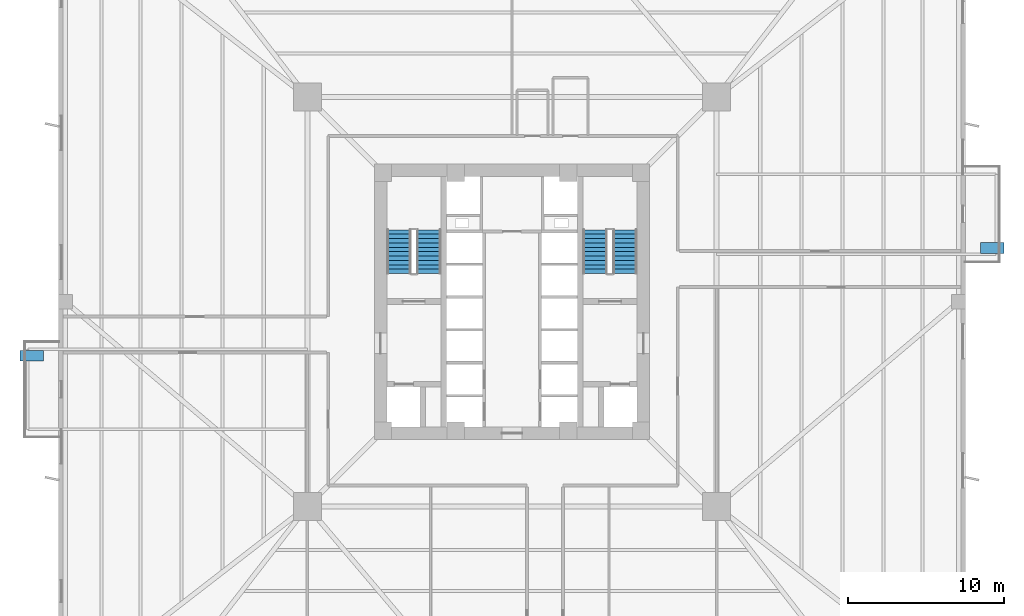
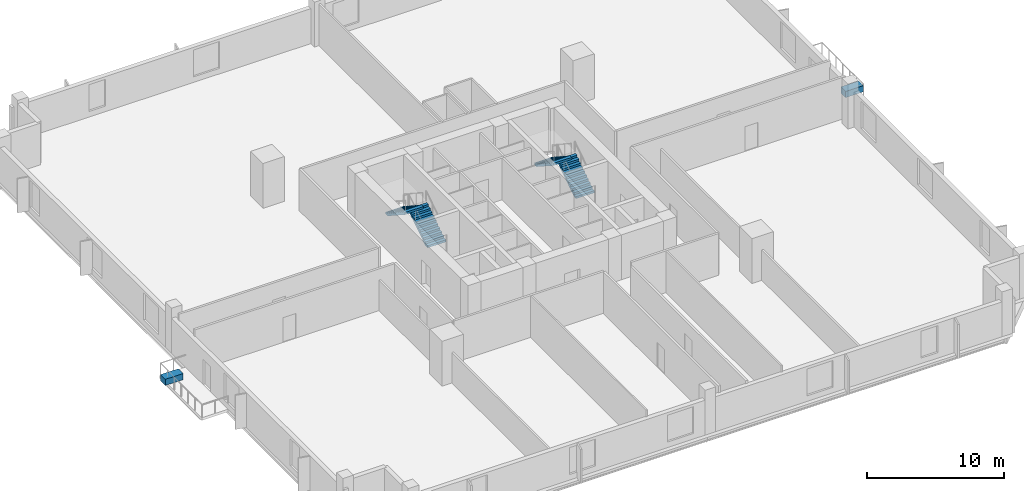
# One storey, part 5 of 9: 4 stair flights, 2 discrete accessories, 2 elements without a shape of their own.
"""IFC4 building model written with IfcOpenShell, lengths in metres."""

import ifcopenshell
import ifcopenshell.guid

model = None  # the IFC model being written
_history = None  # IfcOwnerHistory: only IFC2X3 demands one
_inside = {}  # id of a spatial element -> (the spatial element, [elements in it])
_under = {}  # id of a project, library or spatial element -> (it, [spatial elements below it])
_declared = {}  # id of a project -> (the project, [libraries it declares])
_typed = {}  # id of a type object -> (the type object, [elements of that type])
_made_of = {}  # id of a material, layer set ... -> (it, [elements and type objects made of it])


def new_model(schema):
    """Start an empty IFC model of exactly this schema.

    Asked for "IFC4X3", IfcOpenShell would pick the latest addendum, in which some entities
    have other attributes; the version numbers below select the first issue.
    IFC2X3 requires an IfcOwnerHistory on every rooted entity: one is made here for all.
    """
    global model, _history
    if schema == "IFC4X3":
        model = ifcopenshell.file(schema_version=(4, 3, 0, 0))
    else:
        model = ifcopenshell.file(schema=schema)
    _inside.clear()
    _under.clear()
    _declared.clear()
    _typed.clear()
    _made_of.clear()
    _history = None
    if model.schema == "IFC2X3":
        org = make("IfcOrganization", Name="unknown")
        user = make(
            "IfcPersonAndOrganization",
            ThePerson=make("IfcPerson", FamilyName="unknown"),
            TheOrganization=org,
        )
        app = make(
            "IfcApplication",
            ApplicationDeveloper=org,
            Version="unknown",
            ApplicationFullName="unknown",
            ApplicationIdentifier="unknown",
        )
        _history = make(
            "IfcOwnerHistory",
            OwningUser=user,
            OwningApplication=app,
            ChangeAction="ADDED",
            CreationDate=0,
        )
    return model


def make(cls, **values):
    """One entity of the class cls with the attributes given. An attribute that is None is left unset."""
    return model.create_entity(
        cls, **{name: value for name, value in values.items() if value is not None}
    )


def rooted(cls, **values):
    """An entity with a GlobalId (a new one), such as an element, a storey or a relation."""
    return make(cls, GlobalId=ifcopenshell.guid.new(), OwnerHistory=_history, **values)


def si_unit(unit_type, name, prefix=None):
    """IfcSIUnit, for example si_unit("LENGTHUNIT", "METRE", prefix="MILLI")."""
    return make("IfcSIUnit", UnitType=unit_type, Prefix=prefix, Name=name)


def assignment(units):
    """IfcUnitAssignment: the units of a project."""
    return None if units is None else make("IfcUnitAssignment", Units=units)


def point(xyz):
    """IfcCartesianPoint."""
    return None if xyz is None else make("IfcCartesianPoint", Coordinates=xyz)


def direction(xyz):
    """IfcDirection."""
    return None if xyz is None else make("IfcDirection", DirectionRatios=xyz)


def frame(location, z_axis=None, x_axis=None):
    """IfcAxis2Placement3D, a coordinate frame: its origin and axes. An axis left out is left unset."""
    return make(
        "IfcAxis2Placement3D",
        Location=point(location),
        Axis=direction(z_axis),
        RefDirection=direction(x_axis),
    )


def frame_2d(location, x_axis=None):
    """IfcAxis2Placement2D, a coordinate frame in the plane: its origin and x axis."""
    return make(
        "IfcAxis2Placement2D", Location=point(location), RefDirection=direction(x_axis)
    )


def origin():
    """The frame at (0, 0, 0) with its axes left unset."""
    return frame((0.0, 0.0, 0.0))


def origin_2d():
    """The frame at (0, 0) in the plane with its x axis left unset."""
    return frame_2d((0.0, 0.0))


def place(relative_to, where):
    """IfcLocalPlacement: puts the frame where relative to a parent placement (None: the world)."""
    return make(
        "IfcLocalPlacement", PlacementRelTo=relative_to, RelativePlacement=where
    )


def context(
    kind, dimensions, precision=None, world=None, true_north=None, identifier=None
):
    """IfcGeometricRepresentationContext, for example the 3D "Model" context."""
    return make(
        "IfcGeometricRepresentationContext",
        ContextIdentifier=identifier,
        ContextType=kind,
        CoordinateSpaceDimension=dimensions,
        Precision=precision,
        WorldCoordinateSystem=world,
        TrueNorth=true_north,
    )


def subcontext(parent, identifier, kind, view, scale=None):
    """IfcGeometricRepresentationSubContext, for example "Body" below "Model"."""
    return make(
        "IfcGeometricRepresentationSubContext",
        ContextIdentifier=identifier,
        ContextType=kind,
        ParentContext=parent,
        TargetScale=scale,
        TargetView=view,
    )


def project(units=None, contexts=None):
    """IfcProject with its units and contexts."""
    return rooted(
        "IfcProject",
        Name="project",
        RepresentationContexts=contexts,
        UnitsInContext=assignment(units),
    )


def spatial(cls, under=None, at=None, **own):
    """A site, building, storey or space (cls), placed at a placement, below another one or the project."""
    s = rooted(cls, ObjectPlacement=at, **own)
    if under is not None:
        _under.setdefault(under.id(), (under, []))[1].append(s)
    return s


def polyline(points):
    """IfcPolyline through the points."""
    return make("IfcPolyline", Points=[point(p) for p in points])


def profile(cls, at=None, kind="AREA", **sizes):
    """A parametric profile (cls). Its sizes go by their IFC names, for example OverallWidth=200.0."""
    return make(cls, ProfileType=kind, Position=at, **sizes)


def rectangle(**sizes):
    """IfcRectangleProfileDef."""
    return profile("IfcRectangleProfileDef", **sizes)


def outline(outer, holes=None, kind="AREA"):
    """IfcArbitraryClosedProfileDef: a profile drawn as a closed curve; with holes, ...WithVoids."""
    if holes is None:
        return make("IfcArbitraryClosedProfileDef", ProfileType=kind, OuterCurve=outer)
    return make(
        "IfcArbitraryProfileDefWithVoids",
        ProfileType=kind,
        OuterCurve=outer,
        InnerCurves=holes,
    )


def extrude(swept, where, along, depth):
    """IfcExtrudedAreaSolid: the profile swept, set in the frame where, extruded along a direction by depth."""
    return make(
        "IfcExtrudedAreaSolid",
        SweptArea=swept,
        Position=where,
        ExtrudedDirection=direction(along),
        Depth=depth,
    )


def shape(context_of_items, identifier, shape_type, items):
    """IfcShapeRepresentation: the items that make up one representation, for example the "Body"."""
    return make(
        "IfcShapeRepresentation",
        ContextOfItems=context_of_items,
        RepresentationIdentifier=identifier,
        RepresentationType=shape_type,
        Items=items,
    )


def source(mapping_origin, context_of_items, identifier, shape_type, items):
    """IfcRepresentationMap: a shape defined once, which mapped items show again and again."""
    return make(
        "IfcRepresentationMap",
        MappingOrigin=mapping_origin,
        MappedRepresentation=shape(context_of_items, identifier, shape_type, items),
    )


def transform(
    local_origin,
    x_axis=None,
    y_axis=None,
    z_axis=None,
    scale=None,
    scale2=None,
    scale3=None,
    uniform=True,
):
    """IfcCartesianTransformationOperator3D, or its non-uniform kind. x_axis, y_axis, z_axis: its Axis1, 2, 3."""
    if uniform:
        return make(
            "IfcCartesianTransformationOperator3D",
            Axis1=direction(x_axis),
            Axis2=direction(y_axis),
            LocalOrigin=point(local_origin),
            Scale=scale,
            Axis3=direction(z_axis),
        )
    return make(
        "IfcCartesianTransformationOperator3DnonUniform",
        Axis1=direction(x_axis),
        Axis2=direction(y_axis),
        LocalOrigin=point(local_origin),
        Scale=scale,
        Axis3=direction(z_axis),
        Scale2=scale2,
        Scale3=scale3,
    )


def mapped(mapping_source, mapping_target):
    """IfcMappedItem: shows the shape of a source again, moved by a transform."""
    return make(
        "IfcMappedItem", MappingSource=mapping_source, MappingTarget=mapping_target
    )


def material(Name=None, Category=None):
    """IfcMaterial."""
    return make("IfcMaterial", Name=Name, Category=Category)


def made_of(thing, what):
    """Note that an element or type object is made of a material, layer set ...; save() writes the relation."""
    if what is not None:
        _made_of.setdefault(what.id(), (what, []))[1].append(thing)
    return thing


def type_object(cls, material=None, **own):
    """A type object (cls), such as IfcWallType, which elements share."""
    return made_of(rooted(cls, **own), material)


def element(
    cls,
    number,
    at=None,
    inside=None,
    cuts=None,
    type_object=None,
    material=None,
    context=None,
    identifier="Body",
    shape_type=None,
    held_by="IfcProductDefinitionShape",
    body=None,
    shapes=None,
    **own,
):
    """One element of the class cls, such as IfcWall. Its Tag is "e" and its number.

    at: its placement. inside: the storey or other place that contains it. cuts: it is an
    opening in that element (IfcRelVoidsElement). A single representation is given by context,
    identifier, shape_type and body (its items); several are given by shapes. held_by: the class
    of the entity that holds the representations. save() writes the other relations.
    """
    e = rooted(cls, Tag="e%d" % number, ObjectPlacement=at, **own)
    if body is not None:
        shapes = [shape(context, identifier, shape_type, body)]
    if shapes is not None:
        e.Representation = make(held_by, Representations=shapes)
    if inside is not None:
        _inside.setdefault(inside.id(), (inside, []))[1].append(e)
    if cuts is not None:
        rooted(
            "IfcRelVoidsElement", RelatingBuildingElement=cuts, RelatedOpeningElement=e
        )
    if type_object is not None:
        _typed.setdefault(type_object.id(), (type_object, []))[1].append(e)
    return made_of(e, material)


def aggregate(whole, parts):
    """IfcRelAggregates: a whole, such as a stair, and the parts it consists of."""
    return rooted("IfcRelAggregates", RelatingObject=whole, RelatedObjects=parts)


def save(model, path):
    """Write the relations noted so far, then the file.

    IfcRelAggregates (storeys below a building ...), IfcRelContainedInSpatialStructure (elements
    in a storey), IfcRelDefinesByType, IfcRelAssociatesMaterial and IfcRelDeclares: one each for
    every whole, place, type object, material and project.
    """
    for whole, parts in _under.values():
        aggregate(whole, parts)
    for where, things in _inside.values():
        rooted(
            "IfcRelContainedInSpatialStructure",
            RelatedElements=things,
            RelatingStructure=where,
        )
    for kind, things in _typed.values():
        rooted("IfcRelDefinesByType", RelatedObjects=things, RelatingType=kind)
    for what, things in _made_of.values():
        rooted("IfcRelAssociatesMaterial", RelatedObjects=things, RelatingMaterial=what)
    for by, libraries in _declared.values():
        rooted("IfcRelDeclares", RelatingContext=by, RelatedDefinitions=libraries)
    model.write(path)


model = new_model("IFC4")

# Units and contexts
model_context = context("Model", 3, precision=1e-05, world=origin(), true_north=direction((0.0, 1.0)))
body_context = subcontext(model_context, "Body", "Model", "MODEL_VIEW")
ifc_project = project(units=[si_unit("LENGTHUNIT", "METRE"), si_unit("AREAUNIT", "SQUARE_METRE"), si_unit("VOLUMEUNIT", "CUBIC_METRE"), si_unit("PLANEANGLEUNIT", "RADIAN"), si_unit("MASSUNIT", "GRAM", prefix="KILO"), si_unit("THERMODYNAMICTEMPERATUREUNIT", "KELVIN")], contexts=[model_context])

# Site, building, storey
site_placement = place(None, origin())
site = spatial("IfcSite", under=ifc_project, at=site_placement, CompositionType="ELEMENT")
building_placement = place(site_placement, origin())
building = spatial("IfcBuilding", under=site, at=building_placement, Name="Kosmvard Interchange Tower", CompositionType="ELEMENT")
storey_placement = place(building_placement, frame((0.0, 0.0, 58.0)))
storey = spatial("IfcBuildingStorey", under=building, at=storey_placement, Name="L13", CompositionType="ELEMENT", Elevation=58.0)

# Stair, stair flights
ifc_material_1 = material(Name="Concrete C50/60", Category="concrete")
stair_type = type_object("IfcStairType", Name="Dog-Leg Core Exit Stair H4000 C50/60", PredefinedType="HALF_TURN_STAIR", material=ifc_material_1)
stair_1_placement = place(storey_placement, origin())
stair_1 = element("IfcStair", 1, at=stair_1_placement, inside=storey, type_object=stair_type, Name="L13 Protected Exit Stair ST-1", PredefinedType="HALF_TURN_STAIR")
stair_flight_type = type_object("IfcStairFlightType", Name="Core Stair Flight W1550 H4000 C50/60", PredefinedType="STRAIGHT", material=ifc_material_1)
shared_shape_1 = source(origin(), body_context, "Body", "SweptSolid", [
    extrude(outline(polyline([(0.0, 0.0), (0.0, 0.181884765625), (0.280029296875, 0.181884765625), (0.280029296875, 0.363525390625), (0.56005859375, 0.363525390625), (0.56005859375, 0.54541015625), (0.840087890625, 0.54541015625), (0.840087890625, 0.727294921875), (1.1201171875, 0.727294921875), (1.1201171875, 0.9091796875), (1.39990234375, 0.9091796875), (1.39990234375, 1.0908203125), (1.679931640625, 1.0908203125), (1.679931640625, 1.272705078125), (1.9599609375, 1.272705078125), (1.9599609375, 1.45458984375), (2.239990234375, 1.45458984375), (2.239990234375, 1.636474609375), (2.52001953125, 1.636474609375), (2.52001953125, 1.818115234375), (2.800048828125, 1.818115234375), (2.800048828125, 2.0), (2.800048828125, 1.62744140625), (0.293701171875, 0.0), (0.0, 0.0)])), frame((0.0, 0.77490234375, 0.0), z_axis=(0.0, -1.0, 0.0), x_axis=(1.0, 0.0, 0.0)), (0.0, 0.0, 1.0), 1.550048828125),
])
stair_flight_1_placement = place(storey_placement, frame((-5.31494140625, 1.800048828125, 0.0), z_axis=(0.0, 0.0, 1.0), x_axis=(0.0, 1.0, 0.0)))
stair_flight_1 = element("IfcStairFlight", 2, at=stair_flight_1_placement, type_object=stair_flight_type, Name="ST-1 flight 1", NumberOfRisers=11, NumberOfTreads=10, PredefinedType="STRAIGHT", RiserHeight=0.181818182, TreadLength=0.28, context=body_context, shape_type="MappedRepresentation", body=[
    mapped(shared_shape_1, transform((0.0, 0.0, 0.0), scale=1.0)),
])
stair_flight_2_placement = place(storey_placement, frame((-7.22509765625, 4.60009765625, 2.0), z_axis=(0.0, 0.0, 1.0), x_axis=(0.0, -1.0, 0.0)))
stair_flight_2 = element("IfcStairFlight", 3, at=stair_flight_2_placement, type_object=stair_flight_type, Name="ST-1 flight 2", NumberOfRisers=11, NumberOfTreads=10, PredefinedType="STRAIGHT", RiserHeight=0.181818182, TreadLength=0.28, context=body_context, shape_type="MappedRepresentation", body=[
    mapped(shared_shape_1, transform((0.0, 0.0, 0.0), scale=1.0)),
])
aggregate(stair_1, [stair_flight_1, stair_flight_2])

stair_2_placement = place(storey_placement, origin())
stair_2 = element("IfcStair", 4, at=stair_2_placement, inside=storey, type_object=stair_type, Name="L13 Protected Exit Stair ST-2", PredefinedType="HALF_TURN_STAIR")
stair_flight_3_placement = place(storey_placement, frame((7.22509765625, 1.800048828125, 0.0), z_axis=(0.0, 0.0, 1.0), x_axis=(0.0, 1.0, 0.0)))
stair_flight_3 = element("IfcStairFlight", 5, at=stair_flight_3_placement, type_object=stair_flight_type, Name="ST-2 flight 1", NumberOfRisers=11, NumberOfTreads=10, PredefinedType="STRAIGHT", RiserHeight=0.181818182, TreadLength=0.28, context=body_context, shape_type="MappedRepresentation", body=[
    mapped(shared_shape_1, transform((0.0, 0.0, 0.0), scale=1.0)),
])
stair_flight_4_placement = place(storey_placement, frame((5.31494140625, 4.60009765625, 2.0), z_axis=(0.0, 0.0, 1.0), x_axis=(0.0, -1.0, 0.0)))
stair_flight_4 = element("IfcStairFlight", 6, at=stair_flight_4_placement, type_object=stair_flight_type, Name="ST-2 flight 2", NumberOfRisers=11, NumberOfTreads=10, PredefinedType="STRAIGHT", RiserHeight=0.181818182, TreadLength=0.28, context=body_context, shape_type="MappedRepresentation", body=[
    mapped(shared_shape_1, transform((0.0, 0.0, 0.0), scale=1.0)),
])
aggregate(stair_2, [stair_flight_3, stair_flight_4])

# Discrete accessories
ifc_material_2 = material(Name="Terracotta precast planter concrete C45/55", Category="masonry")
discrete_accessory_type = type_object("IfcDiscreteAccessoryType", Name="Precast Tree-Balcony & Terrace Planter Box", PredefinedType="USERDEFINED", material=ifc_material_2)
shared_shape_2 = source(origin(), body_context, "Body", "SweptSolid", [
    extrude(rectangle(XDim=1.5, YDim=0.699951171875, at=origin_2d()), origin(), (0.0, 0.0, 1.0), 0.550048828125),
])
for number, where, z_axis, x_axis, name in (
    (7, (30.699951171875, 3.449951171875, 0.0), (0.0, 0.0, 1.0), (1.0, 0.0, 0.0), "L13 Balcony Tree Planter BAL-L13-E"),
    (8, (-30.699951171875, -3.449951171875, 0.0), (0.0, 0.0, 1.0), (1.0, 0.0, 0.0), "L13 Balcony Tree Planter BAL-L13-W"),
):
    element("IfcDiscreteAccessory", number, at=place(storey_placement, frame(where, z_axis=z_axis, x_axis=x_axis)), inside=storey, type_object=discrete_accessory_type, Name=name, ObjectType="PLANTER", PredefinedType="USERDEFINED", context=body_context, shape_type="MappedRepresentation", body=[
        mapped(shared_shape_2, transform((0.0, 0.0, 0.0), scale=1.0)),
    ])

save(model, "model.ifc")
